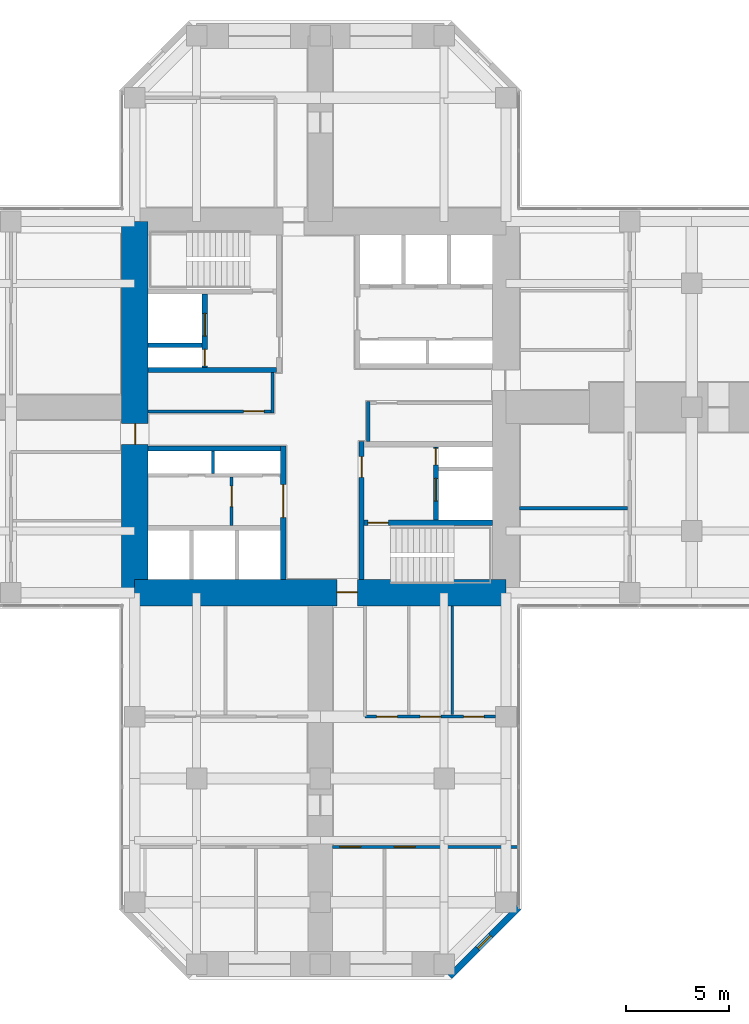
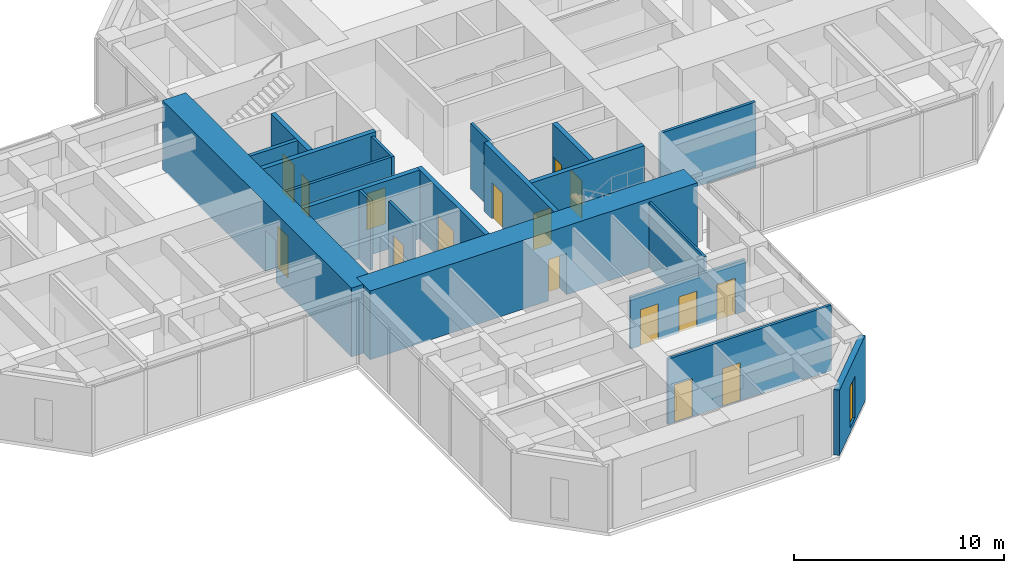
# One storey, part 9 of 13: 20 walls, 16 doors, 1 window, 17 openings.
"""IFC4 building model written with IfcOpenShell, lengths in metres."""

from ifc_helpers import new_model, si_unit, direction, frame, frame_2d, origin, place, context, subcontext, project, spatial, rectangle, hollow_rectangle, extrude, material, layer, layer_set, constituent, constituent_set, type_object, element, fill, save


model = new_model("IFC4")

# Units and contexts
model_context = context("Model", 3, precision=1e-05, world=origin(), true_north=direction((0.0, 1.0)))
body_context = subcontext(model_context, "Body", "Model", "MODEL_VIEW")
ifc_project = project(units=[si_unit("LENGTHUNIT", "METRE"), si_unit("AREAUNIT", "SQUARE_METRE"), si_unit("VOLUMEUNIT", "CUBIC_METRE"), si_unit("PLANEANGLEUNIT", "RADIAN"), si_unit("MASSUNIT", "GRAM", prefix="KILO")], contexts=[model_context])

# Site, building, storey
site_placement = place(None, origin())
site = spatial("IfcSite", under=ifc_project, at=site_placement, CompositionType="ELEMENT")
building_placement = place(site_placement, origin())
building = spatial("IfcBuilding", under=site, at=building_placement, Name="Torre Cruceta", CompositionType="ELEMENT")
storey_placement = place(building_placement, frame((0.0, 0.0, 152.5)))
storey = spatial("IfcBuildingStorey", under=building, at=storey_placement, Name="L37", CompositionType="ELEMENT", Elevation=152.5)

# Wall
ifc_material_1 = material(Name="Concrete G60 (fck 60 MPa)", Category="concrete")
ifc_layer_1 = layer(ifc_material_1, 0.25)
ifc_layer_set_1 = layer_set([ifc_layer_1], Name="Concrete G60 (fck 60 MPa)")
wall_type_1 = type_object("IfcWallType", Name="CORE INNER WALL 250 G60", PredefinedType="SHEAR", material=ifc_layer_set_1)
wall_1_placement = place(storey_placement, frame((-2.125, 1.800048828125, 0.0), z_axis=(0.0, 0.0, 1.0), x_axis=(-1.0, 0.0, 0.0)))
element("IfcWall", 1, at=wall_1_placement, inside=storey, type_object=wall_type_1, Name="CW4 L37 NW-CV", PredefinedType="SHEAR", context=body_context, shape_type="SweptSolid", body=[
    extrude(rectangle(XDim=6.22509765625, YDim=0.25, at=frame_2d((3.112548828125, 0.0))), origin(), (0.0, 0.0, 1.0), 4.0),
])

# Wall, openings, doors
wall_2_placement = place(storey_placement, frame((-5.60009765625, 1.925048828125, 0.0), z_axis=(0.0, 0.0, 1.0), x_axis=(0.0, 1.0, 0.0)))
wall_2 = element("IfcWall", 2, at=wall_2_placement, inside=storey, type_object=wall_type_1, Name="CW4 L37 NW-FU", PredefinedType="SHEAR", context=body_context, shape_type="SweptSolid", body=[
    extrude(rectangle(XDim=3.550048828125, YDim=0.25, at=frame_2d((1.77490234375, 0.0))), origin(), (0.0, 0.0, 1.0), 4.0),
])
opening_1_placement = place(wall_2_placement, frame((1.52490234375, 0.0, 0.0)))
opening_1 = element("IfcOpeningElement", 3, at=opening_1_placement, cuts=wall_2, Name="Opening LD1", PredefinedType="OPENING", context=body_context, shape_type="SweptSolid", body=[
    extrude(rectangle(XDim=1.10009765625, YDim=2.199951171875, at=frame_2d((0.550048828125, 1.10009765625))), frame((0.0, 0.135009765625, 0.0), z_axis=(0.0, -1.0, 0.0), x_axis=(1.0, 0.0, 0.0)), (0.0, 0.0, 1.0), 0.27001953125),
])
opening_2_placement = place(wall_2_placement, frame((0.074951171875, 0.0, 0.0)))
opening_2 = element("IfcOpeningElement", 4, at=opening_2_placement, cuts=wall_2, Name="Opening D5", PredefinedType="OPENING", context=body_context, shape_type="SweptSolid", body=[
    extrude(rectangle(XDim=0.800048828125, YDim=2.10009765625, at=frame_2d((0.39990234375, 1.050048828125))), frame((0.0, 0.135009765625, 0.0), z_axis=(0.0, -1.0, 0.0), x_axis=(1.0, 0.0, 0.0)), (0.0, 0.0, 1.0), 0.27001953125),
])
ifc_material_2 = material(Name="Stainless steel 1.4401", Category="steel")
door_type_1 = type_object("IfcDoorType", Name="LIFT LANDING DOOR 1100X2200", OperationType="DOUBLE_DOOR_SLIDING", PredefinedType="DOOR", material=ifc_material_2)
door_1_placement = place(opening_1_placement, origin())
door_1 = element("IfcDoor", 5, at=door_1_placement, inside=storey, type_object=door_type_1, Name="Lift landing door FL1", OperationType="DOUBLE_DOOR_SLIDING", OverallHeight=2.199951171875, OverallWidth=1.10009765625, PredefinedType="DOOR", context=body_context, shape_type="SweptSolid", body=[
    extrude(rectangle(XDim=1.10009765625, YDim=2.199951171875, at=frame_2d((0.550048828125, 1.10009765625))), frame((0.0, 0.02490234375, 0.0), z_axis=(0.0, -1.0, 0.0), x_axis=(1.0, 0.0, 0.0)), (0.0, 0.0, 1.0), 0.050048828125),
])
fill(opening_1, door_1)
ifc_material_3 = material(Name="Steel DX51D", Category="steel")
ifc_constituent_1 = constituent(ifc_material_3, Name="Leaf and frame")
ifc_material_4 = material(Name="Polyester powder coating", Category="paint")
ifc_constituent_2 = constituent(ifc_material_4, Name="Finish")
ifc_constituent_set_1 = constituent_set(constituents=[ifc_constituent_1, ifc_constituent_2], Name="Steel fire door")
door_type_2 = type_object("IfcDoorType", Name="RISER ACCESS DOOR 800X2100", OperationType="SINGLE_SWING_LEFT", PredefinedType="DOOR", material=ifc_constituent_set_1)
door_2_placement = place(opening_2_placement, origin())
door_2 = element("IfcDoor", 6, at=door_2_placement, inside=storey, type_object=door_type_2, Name="D5 L37 NW-RISER", OperationType="SINGLE_SWING_LEFT", OverallHeight=2.10009765625, OverallWidth=0.800048828125, PredefinedType="DOOR", context=body_context, shape_type="SweptSolid", body=[
    extrude(rectangle(XDim=0.800048828125, YDim=2.10009765625, at=frame_2d((0.39990234375, 1.050048828125))), frame((0.0, 0.02490234375, 0.0), z_axis=(0.0, -1.0, 0.0), x_axis=(1.0, 0.0, 0.0)), (0.0, 0.0, 1.0), 0.050048828125),
])
fill(opening_2, door_2)

# Wall, opening, door
wall_3_placement = place(storey_placement, frame((-1.800048828125, -1.875, 0.0), z_axis=(0.0, 0.0, 1.0), x_axis=(0.0, -1.0, 0.0)))
wall_3 = element("IfcWall", 7, at=wall_3_placement, inside=storey, type_object=wall_type_1, Name="CW4 L37 SW-CU", PredefinedType="SHEAR", context=body_context, shape_type="SweptSolid", body=[
    extrude(rectangle(XDim=6.47509765625, YDim=0.25, at=frame_2d((3.237548828125, 0.0))), origin(), (0.0, 0.0, 1.0), 4.0),
])
opening_3_placement = place(wall_3_placement, frame((1.875, 0.0, 0.0)))
opening_3 = element("IfcOpeningElement", 8, at=opening_3_placement, cuts=wall_3, Name="Opening D15", PredefinedType="OPENING", context=body_context, shape_type="SweptSolid", body=[
    extrude(rectangle(XDim=1.60009765625, YDim=2.39990234375, at=frame_2d((0.800048828125, 1.199951171875))), frame((0.0, 0.135009765625, 0.0), z_axis=(0.0, -1.0, 0.0), x_axis=(1.0, 0.0, 0.0)), (0.0, 0.0, 1.0), 0.27001953125),
])
ifc_material_5 = material(Name="Steel DX51D", Category="steel")
ifc_constituent_3 = constituent(ifc_material_5, Name="Leaf and frame")
ifc_material_6 = material(Name="Polyester powder coating", Category="paint")
ifc_constituent_4 = constituent(ifc_material_6, Name="Finish")
ifc_constituent_set_2 = constituent_set(constituents=[ifc_constituent_3, ifc_constituent_4], Name="Steel fire door")
door_type_3 = type_object("IfcDoorType", Name="CORE ROOM DOUBLE DOOR 1600X2400", OperationType="DOUBLE_DOOR_SINGLE_SWING", PredefinedType="DOOR", material=ifc_constituent_set_2)
door_3_placement = place(opening_3_placement, frame((1.60009765625, 0.0, 0.0), z_axis=(0.0, 0.0, 1.0), x_axis=(-1.0, 0.0, 0.0)))
door_3 = element("IfcDoor", 9, at=door_3_placement, inside=storey, type_object=door_type_3, Name="D15 L37 SW-LOBBY", OperationType="DOUBLE_DOOR_SINGLE_SWING", OverallHeight=2.39990234375, OverallWidth=1.60009765625, PredefinedType="DOOR", context=body_context, shape_type="SweptSolid", body=[
    extrude(rectangle(XDim=1.60009765625, YDim=2.39990234375, at=frame_2d((0.800048828125, 1.199951171875))), frame((0.0, 0.025146484375, 0.0), z_axis=(0.0, -1.0, 0.0), x_axis=(1.0, 0.0, 0.0)), (0.0, 0.0, 1.0), 0.050048828125),
])
fill(opening_3, door_3)

# Wall
wall_4_placement = place(storey_placement, frame((-1.925048828125, -2.0, 0.0), z_axis=(0.0, 0.0, 1.0), x_axis=(-1.0, 0.0, 0.0)))
element("IfcWall", 10, at=wall_4_placement, inside=storey, type_object=wall_type_1, Name="CW4 L37 SW-CV", PredefinedType="SHEAR", context=body_context, shape_type="SweptSolid", body=[
    extrude(rectangle(XDim=6.425048828125, YDim=0.25, at=frame_2d((3.21240234375, 0.0))), origin(), (0.0, 0.0, 1.0), 4.0),
])

# Wall, opening, door
wall_5_placement = place(storey_placement, frame((2.0, -1.675048828125, 0.0), z_axis=(0.0, 0.0, 1.0), x_axis=(0.0, -1.0, 0.0)))
wall_5 = element("IfcWall", 11, at=wall_5_placement, inside=storey, type_object=wall_type_1, Name="CW4 L37 SE-CU", PredefinedType="SHEAR", context=body_context, shape_type="SweptSolid", body=[
    extrude(rectangle(XDim=6.675048828125, YDim=0.25, at=frame_2d((3.33740234375, 0.0))), origin(), (0.0, 0.0, 1.0), 4.0),
])
opening_4_placement = place(wall_5_placement, frame((0.72509765625, 0.0, 0.0)))
opening_4 = element("IfcOpeningElement", 12, at=opening_4_placement, cuts=wall_5, Name="Opening D3", PredefinedType="OPENING", context=body_context, shape_type="SweptSolid", body=[
    extrude(rectangle(XDim=1.0, YDim=2.10009765625, at=frame_2d((0.5, 1.050048828125))), frame((0.0, 0.135009765625, 0.0), z_axis=(0.0, -1.0, 0.0), x_axis=(1.0, 0.0, 0.0)), (0.0, 0.0, 1.0), 0.27001953125),
])
ifc_material_7 = material(Name="Steel DX51D", Category="steel")
ifc_constituent_5 = constituent(ifc_material_7, Name="Leaf and frame")
ifc_material_8 = material(Name="Polyester powder coating", Category="paint")
ifc_constituent_6 = constituent(ifc_material_8, Name="Finish")
ifc_constituent_set_3 = constituent_set(constituents=[ifc_constituent_5, ifc_constituent_6], Name="Steel fire door")
door_type_4 = type_object("IfcDoorType", Name="FIRE DOOR 1000X2100", OperationType="SINGLE_SWING_LEFT", PredefinedType="DOOR", material=ifc_constituent_set_3)
door_4_placement = place(opening_4_placement, origin())
door_4 = element("IfcDoor", 13, at=door_4_placement, inside=storey, type_object=door_type_4, Name="D3 L37 SE-LOBBY", OperationType="SINGLE_SWING_LEFT", OverallHeight=2.10009765625, OverallWidth=1.0, PredefinedType="DOOR", context=body_context, shape_type="SweptSolid", body=[
    extrude(rectangle(XDim=1.0, YDim=2.10009765625, at=frame_2d((0.5, 1.050048828125))), frame((0.0, 0.02490234375, 0.0), z_axis=(0.0, -1.0, 0.0), x_axis=(1.0, 0.0, 0.0)), (0.0, 0.0, 1.0), 0.050048828125),
])
fill(opening_4, door_4)

wall_6_placement = place(storey_placement, frame((2.125, -5.60009765625, 0.0), z_axis=(0.0, 0.0, 1.0), x_axis=(1.0, 0.0, 0.0)))
wall_6 = element("IfcWall", 14, at=wall_6_placement, inside=storey, type_object=wall_type_1, Name="CW4 L37 SE-SV", PredefinedType="SHEAR", context=body_context, shape_type="SweptSolid", body=[
    extrude(rectangle(XDim=6.22509765625, YDim=0.25, at=frame_2d((3.112548828125, 0.0))), origin(), (0.0, 0.0, 1.0), 4.0),
])
opening_5_placement = place(wall_6_placement, frame((0.175048828125, 0.0, 0.0)))
opening_5 = element("IfcOpeningElement", 15, at=opening_5_placement, cuts=wall_6, Name="Opening D3", PredefinedType="OPENING", context=body_context, shape_type="SweptSolid", body=[
    extrude(rectangle(XDim=1.0, YDim=2.10009765625, at=frame_2d((0.5, 1.050048828125))), frame((0.0, 0.135009765625, 0.0), z_axis=(0.0, -1.0, 0.0), x_axis=(1.0, 0.0, 0.0)), (0.0, 0.0, 1.0), 0.27001953125),
])
door_5_placement = place(opening_5_placement, frame((1.0, 0.0, 0.0), z_axis=(0.0, 0.0, 1.0), x_axis=(-1.0, 0.0, 0.0)))
door_5 = element("IfcDoor", 16, at=door_5_placement, inside=storey, type_object=door_type_4, Name="D3 L37 SE-STAIR", OperationType="SINGLE_SWING_RIGHT", OverallHeight=2.10009765625, OverallWidth=1.0, PredefinedType="DOOR", context=body_context, shape_type="SweptSolid", body=[
    extrude(rectangle(XDim=1.0, YDim=2.10009765625, at=frame_2d((0.5, 1.050048828125))), frame((0.0, 0.025146484375, 0.0), z_axis=(0.0, -1.0, 0.0), x_axis=(1.0, 0.0, 0.0)), (0.0, 0.0, 1.0), 0.050048828125),
])
fill(opening_5, door_5)

# Wall, openings, doors
wall_7_placement = place(storey_placement, frame((5.60009765625, -1.925048828125, 0.0), z_axis=(0.0, 0.0, 1.0), x_axis=(0.0, -1.0, 0.0)))
wall_7 = element("IfcWall", 17, at=wall_7_placement, inside=storey, type_object=wall_type_1, Name="CW4 L37 SE-FU", PredefinedType="SHEAR", context=body_context, shape_type="SweptSolid", body=[
    extrude(rectangle(XDim=3.550048828125, YDim=0.25, at=frame_2d((1.77490234375, 0.0))), origin(), (0.0, 0.0, 1.0), 4.0),
])
opening_6_placement = place(wall_7_placement, frame((1.52490234375, 0.0, 0.0)))
opening_6 = element("IfcOpeningElement", 18, at=opening_6_placement, cuts=wall_7, Name="Opening LD1", PredefinedType="OPENING", context=body_context, shape_type="SweptSolid", body=[
    extrude(rectangle(XDim=1.10009765625, YDim=2.199951171875, at=frame_2d((0.550048828125, 1.10009765625))), frame((0.0, 0.135009765625, 0.0), z_axis=(0.0, -1.0, 0.0), x_axis=(1.0, 0.0, 0.0)), (0.0, 0.0, 1.0), 0.27001953125),
])
opening_7_placement = place(wall_7_placement, frame((0.074951171875, 0.0, 0.0)))
opening_7 = element("IfcOpeningElement", 19, at=opening_7_placement, cuts=wall_7, Name="Opening D5", PredefinedType="OPENING", context=body_context, shape_type="SweptSolid", body=[
    extrude(rectangle(XDim=0.800048828125, YDim=2.10009765625, at=frame_2d((0.39990234375, 1.050048828125))), frame((0.0, 0.135009765625, 0.0), z_axis=(0.0, -1.0, 0.0), x_axis=(1.0, 0.0, 0.0)), (0.0, 0.0, 1.0), 0.27001953125),
])
door_6_placement = place(opening_6_placement, origin())
door_6 = element("IfcDoor", 20, at=door_6_placement, inside=storey, type_object=door_type_1, Name="Lift landing door FL2", OperationType="DOUBLE_DOOR_SLIDING", OverallHeight=2.199951171875, OverallWidth=1.10009765625, PredefinedType="DOOR", context=body_context, shape_type="SweptSolid", body=[
    extrude(rectangle(XDim=1.10009765625, YDim=2.199951171875, at=frame_2d((0.550048828125, 1.10009765625))), frame((0.0, 0.02490234375, 0.0), z_axis=(0.0, -1.0, 0.0), x_axis=(1.0, 0.0, 0.0)), (0.0, 0.0, 1.0), 0.050048828125),
])
fill(opening_6, door_6)
door_7_placement = place(opening_7_placement, origin())
door_7 = element("IfcDoor", 21, at=door_7_placement, inside=storey, type_object=door_type_2, Name="D5 L37 SE-RISER", OperationType="SINGLE_SWING_LEFT", OverallHeight=2.10009765625, OverallWidth=0.800048828125, PredefinedType="DOOR", context=body_context, shape_type="SweptSolid", body=[
    extrude(rectangle(XDim=0.800048828125, YDim=2.10009765625, at=frame_2d((0.39990234375, 1.050048828125))), frame((0.0, 0.02490234375, 0.0), z_axis=(0.0, -1.0, 0.0), x_axis=(1.0, 0.0, 0.0)), (0.0, 0.0, 1.0), 0.050048828125),
])
fill(opening_7, door_7)

# Wall, opening, door
ifc_material_9 = material(Name="Concrete G60 (fck 60 MPa)", Category="concrete")
ifc_layer_2 = layer(ifc_material_9, 1.300048828125)
ifc_layer_set_2 = layer_set([ifc_layer_2], Name="Concrete G60 (fck 60 MPa)")
wall_type_2 = type_object("IfcWallType", Name="CORE WALL 1300 G60", PredefinedType="SHEAR", material=ifc_layer_set_2)
wall_8_placement = place(storey_placement, frame((-9.0, -9.0, 0.0), z_axis=(0.0, 0.0, 1.0), x_axis=(1.0, 0.0, 0.0)))
wall_8 = element("IfcWall", 22, at=wall_8_placement, inside=storey, type_object=wall_type_2, Name="CW1 L37 CW-S", PredefinedType="SHEAR", context=body_context, shape_type="SweptSolid", body=[
    extrude(rectangle(XDim=18.0, YDim=1.300048828125, at=frame_2d((9.0, 0.0))), origin(), (0.0, 0.0, 1.0), 4.0),
])
opening_8_placement = place(wall_8_placement, frame((9.800048828125, 0.0, 0.0)))
opening_8 = element("IfcOpeningElement", 23, at=opening_8_placement, cuts=wall_8, Name="Opening D4", PredefinedType="OPENING", context=body_context, shape_type="SweptSolid", body=[
    extrude(rectangle(XDim=1.0, YDim=2.39990234375, at=frame_2d((0.5, 1.199951171875))), frame((0.0, 0.659912109375, 0.0), z_axis=(0.0, -1.0, 0.0), x_axis=(1.0, 0.0, 0.0)), (0.0, 0.0, 1.0), 1.320068359375),
])
ifc_material_10 = material(Name="Steel DX51D", Category="steel")
ifc_constituent_7 = constituent(ifc_material_10, Name="Leaf and frame")
ifc_material_11 = material(Name="Polyester powder coating", Category="paint")
ifc_constituent_8 = constituent(ifc_material_11, Name="Finish")
ifc_constituent_set_4 = constituent_set(constituents=[ifc_constituent_7, ifc_constituent_8], Name="Steel fire door")
door_type_5 = type_object("IfcDoorType", Name="CORE ARM DOOR 1000X2400", OperationType="SINGLE_SWING_RIGHT", PredefinedType="DOOR", material=ifc_constituent_set_4)
door_8_placement = place(opening_8_placement, frame((1.0, 0.0, 0.0), z_axis=(0.0, 0.0, 1.0), x_axis=(-1.0, 0.0, 0.0)))
door_8 = element("IfcDoor", 24, at=door_8_placement, inside=storey, type_object=door_type_5, Name="D4 L37 CW-S", OperationType="SINGLE_SWING_RIGHT", OverallHeight=2.39990234375, OverallWidth=1.0, PredefinedType="DOOR", context=body_context, shape_type="SweptSolid", body=[
    extrude(rectangle(XDim=1.0, YDim=2.39990234375, at=frame_2d((0.5, 1.199951171875))), frame((0.0, -0.005126953125, 0.0), z_axis=(0.0, -1.0, 0.0), x_axis=(1.0, 0.0, 0.0)), (0.0, 0.0, 1.0), 0.050048828125),
])
fill(opening_8, door_8)

wall_9_placement = place(storey_placement, frame((-9.0, 9.0, 0.0), z_axis=(0.0, 0.0, 1.0), x_axis=(0.0, -1.0, 0.0)))
wall_9 = element("IfcWall", 25, at=wall_9_placement, inside=storey, type_object=wall_type_2, Name="CW1 L37 CW-W", PredefinedType="SHEAR", context=body_context, shape_type="SweptSolid", body=[
    extrude(rectangle(XDim=18.0, YDim=1.300048828125, at=frame_2d((9.0, 0.0))), origin(), (0.0, 0.0, 1.0), 4.0),
])
opening_9_placement = place(wall_9_placement, frame((9.800048828125, 0.0, 0.0)))
opening_9 = element("IfcOpeningElement", 26, at=opening_9_placement, cuts=wall_9, Name="Opening D4", PredefinedType="OPENING", context=body_context, shape_type="SweptSolid", body=[
    extrude(rectangle(XDim=1.0, YDim=2.39990234375, at=frame_2d((0.5, 1.199951171875))), frame((0.0, 0.659912109375, 0.0), z_axis=(0.0, -1.0, 0.0), x_axis=(1.0, 0.0, 0.0)), (0.0, 0.0, 1.0), 1.320068359375),
])
door_9_placement = place(opening_9_placement, frame((1.0, 0.0, 0.0), z_axis=(0.0, 0.0, 1.0), x_axis=(-1.0, 0.0, 0.0)))
door_9 = element("IfcDoor", 27, at=door_9_placement, inside=storey, type_object=door_type_5, Name="D4 L37 CW-W", OperationType="SINGLE_SWING_RIGHT", OverallHeight=2.39990234375, OverallWidth=1.0, PredefinedType="DOOR", context=body_context, shape_type="SweptSolid", body=[
    extrude(rectangle(XDim=1.0, YDim=2.39990234375, at=frame_2d((0.5, 1.199951171875))), frame((0.0, -0.005126953125, 0.0), z_axis=(0.0, -1.0, 0.0), x_axis=(1.0, 0.0, 0.0)), (0.0, 0.0, 1.0), 0.050048828125),
])
fill(opening_9, door_9)

# Wall, opening, window
ifc_material_12 = material(Name="Concrete G30 (fck 30 MPa)", Category="concrete")
ifc_layer_3 = layer(ifc_material_12, 0.300048828125)
ifc_layer_set_3 = layer_set([ifc_layer_3], Name="Concrete G30 (fck 30 MPa)")
wall_type_3 = type_object("IfcWallType", Name="EXPOSED CONCRETE FACADE WALL 300", PredefinedType="SOLIDWALL", material=ifc_layer_set_3)
wall_10_placement = place(storey_placement, frame((6.27685546875, -27.60009765625, 0.0), z_axis=(0.0, 0.0, 1.0), x_axis=(0.707106781187, 0.707106781187, 0.0)))
wall_10 = element("IfcWall", 28, at=wall_10_placement, inside=storey, type_object=wall_type_3, Name="EW1 facade wall L37 S chamfer 18", PredefinedType="SOLIDWALL", context=body_context, shape_type="SweptSolid", body=[
    extrude(rectangle(XDim=4.72802734375, YDim=0.300048828125, at=frame_2d((2.364013671875, 0.0))), origin(), (0.0, 0.0, 1.0), 3.800048828125),
])
opening_10_placement = place(wall_10_placement, frame((1.9140625, 0.0, 0.300048828125)))
opening_10 = element("IfcOpeningElement", 29, at=opening_10_placement, cuts=wall_10, Name="Opening WN5", PredefinedType="OPENING", context=body_context, shape_type="SweptSolid", body=[
    extrude(rectangle(XDim=0.89990234375, YDim=2.39990234375, at=frame_2d((0.449951171875, 1.199951171875))), frame((0.0, 0.159912109375, 0.0), z_axis=(0.0, -1.0, 0.0), x_axis=(1.0, 0.0, 0.0)), (0.0, 0.0, 1.0), 0.320068359375),
])
ifc_material_13 = material(Name="Aluminium window frame", Category="aluminium")
ifc_constituent_9 = constituent(ifc_material_13, Name="Frame")
ifc_material_14 = material(Name="Laminated insulating glass unit, low-iron clear", Category="glass")
ifc_constituent_10 = constituent(ifc_material_14, Name="Glazing")
ifc_constituent_set_5 = constituent_set(constituents=[ifc_constituent_9, ifc_constituent_10], Name="Aluminium window")
window_type = type_object("IfcWindowType", Name="CHAMFER SLOT WINDOW 900X2400", PartitioningType="SINGLE_PANEL", PredefinedType="WINDOW", material=ifc_constituent_set_5)
window_placement = place(opening_10_placement, origin())
window = element("IfcWindow", 30, at=window_placement, inside=storey, type_object=window_type, Name="WN5 L37 S 1", OverallHeight=2.39990234375, OverallWidth=0.89990234375, PartitioningType="SINGLE_PANEL", PredefinedType="WINDOW", context=body_context, shape_type="SweptSolid", body=[
    extrude(hollow_rectangle(XDim=0.89990234375, YDim=2.39990234375, WallThickness=0.06005859375, at=frame_2d((0.449951171875, 1.199951171875))), frame((0.0, 0.030029296875, 0.0), z_axis=(0.0, -1.0, 0.0), x_axis=(1.0, 0.0, 0.0)), (0.0, 0.0, 1.0), 0.06005859375),
    extrude(rectangle(XDim=0.77880859375, YDim=2.27880859375, at=frame_2d((0.449951171875, 1.199951171875))), frame((0.0, 0.030029296875, 0.0), z_axis=(0.0, -1.0, 0.0), x_axis=(1.0, 0.0, 0.0)), (0.0, 0.0, 1.0), 0.06005859375),
])
fill(opening_10, window)

# Walls
ifc_material_15 = material(Name="Concrete G35 (fck 35 MPa)", Category="concrete")
ifc_layer_4 = layer(ifc_material_15, 0.199951171875)
ifc_layer_set_4 = layer_set([ifc_layer_4], Name="Concrete G35 (fck 35 MPa)")
wall_type_4 = type_object("IfcWallType", Name="LIFT SHAFT WALL 200", PredefinedType="PARTITIONING", material=ifc_layer_set_4)
wall_11_placement = place(storey_placement, frame((-5.72509765625, 3.0, 0.0), z_axis=(0.0, 0.0, 1.0), x_axis=(-1.0, 0.0, 0.0)))
element("IfcWall", 31, at=wall_11_placement, inside=storey, type_object=wall_type_4, Name="SW1 L37 NW-FR", PredefinedType="PARTITIONING", context=body_context, shape_type="SweptSolid", body=[
    extrude(rectangle(XDim=2.625, YDim=0.199951171875, at=frame_2d((1.3125, 0.0))), origin(), (0.0, 0.0, 1.0), 4.0),
])
ifc_material_16 = material(Name="Plasterboard on steel studs", Category="steel")
ifc_layer_5 = layer(ifc_material_16, 0.14990234375)
ifc_layer_set_5 = layer_set([ifc_layer_5], Name="Plasterboard on steel studs")
wall_type_5 = type_object("IfcWallType", Name="PARTITION 150", PredefinedType="PARTITIONING", material=ifc_layer_set_5)
wall_12_placement = place(storey_placement, frame((2.324951171875, -1.675048828125, 0.0), z_axis=(0.0, 0.0, 1.0), x_axis=(0.0, 1.0, 0.0)))
element("IfcWall", 32, at=wall_12_placement, inside=storey, type_object=wall_type_5, Name="PT1 L37-CORE-LEGE-S-W2", PredefinedType="PARTITIONING", context=body_context, shape_type="SweptSolid", body=[
    extrude(rectangle(XDim=1.949951171875, YDim=0.14990234375, at=frame_2d((0.97509765625, 0.0))), origin(), (0.0, 0.0, 1.0), 3.800048828125),
])

# Wall, opening, door
wall_13_placement = place(storey_placement, frame((-2.324951171875, -0.199951171875, 0.0), z_axis=(0.0, 0.0, 1.0), x_axis=(-1.0, 0.0, 0.0)))
wall_13 = element("IfcWall", 33, at=wall_13_placement, inside=storey, type_object=wall_type_5, Name="PT1 L37-CORE-LEGW-N-W1", PredefinedType="PARTITIONING", context=body_context, shape_type="SweptSolid", body=[
    extrude(rectangle(XDim=6.025146484375, YDim=0.14990234375, at=frame_2d((3.0126953125, 0.0))), origin(), (0.0, 0.0, 1.0), 3.800048828125),
])
opening_11_placement = place(wall_13_placement, frame((0.39990234375, 0.0, 0.0)))
opening_11 = element("IfcOpeningElement", 34, at=opening_11_placement, cuts=wall_13, Name="Opening D3", PredefinedType="OPENING", context=body_context, shape_type="SweptSolid", body=[
    extrude(rectangle(XDim=1.0, YDim=2.10009765625, at=frame_2d((0.5, 1.050048828125))), frame((0.0, 0.0849609375, 0.0), z_axis=(0.0, -1.0, 0.0), x_axis=(1.0, 0.0, 0.0)), (0.0, 0.0, 1.0), 0.169921875),
])
door_10_placement = place(opening_11_placement, frame((1.0, 0.0, 0.0), z_axis=(0.0, 0.0, 1.0), x_axis=(-1.0, 0.0, 0.0)))
door_10 = element("IfcDoor", 35, at=door_10_placement, inside=storey, type_object=door_type_4, Name="D3 L37-CORE-LEGW-N-W1-D1", OperationType="SINGLE_SWING_RIGHT", OverallHeight=2.10009765625, OverallWidth=1.0, PredefinedType="DOOR", context=body_context, shape_type="SweptSolid", body=[
    extrude(rectangle(XDim=1.0, YDim=2.10009765625, at=frame_2d((0.5, 1.050048828125))), frame((0.0, 0.025146484375, 0.0), z_axis=(0.0, -1.0, 0.0), x_axis=(1.0, 0.0, 0.0)), (0.0, 0.0, 1.0), 0.050048828125),
])
fill(opening_11, door_10)

# Wall
wall_14_placement = place(storey_placement, frame((-2.324951171875, 1.675048828125, 0.0), z_axis=(0.0, 0.0, 1.0), x_axis=(0.0, -1.0, 0.0)))
element("IfcWall", 36, at=wall_14_placement, inside=storey, type_object=wall_type_5, Name="PT1 L37-CORE-LEGW-N-W2", PredefinedType="PARTITIONING", context=body_context, shape_type="SweptSolid", body=[
    extrude(rectangle(XDim=1.949951171875, YDim=0.14990234375, at=frame_2d((0.97509765625, 0.0))), origin(), (0.0, 0.0, 1.0), 3.800048828125),
])

# Wall, opening, door
wall_15_placement = place(storey_placement, frame((-4.300048828125, -3.375, 0.0), z_axis=(0.0, 0.0, 1.0), x_axis=(0.0, -1.0, 0.0)))
wall_15 = element("IfcWall", 37, at=wall_15_placement, inside=storey, type_object=wall_type_5, Name="PT1 L37-CORE-SW-X", PredefinedType="PARTITIONING", context=body_context, shape_type="SweptSolid", body=[
    extrude(rectangle(XDim=2.35009765625, YDim=0.14990234375, at=frame_2d((1.175048828125, 0.0))), origin(), (0.0, 0.0, 1.0), 3.800048828125),
])
opening_12_placement = place(wall_15_placement, frame((0.449951171875, 0.0, 0.0)))
opening_12 = element("IfcOpeningElement", 38, at=opening_12_placement, cuts=wall_15, Name="Opening D3", PredefinedType="OPENING", context=body_context, shape_type="SweptSolid", body=[
    extrude(rectangle(XDim=1.0, YDim=2.10009765625, at=frame_2d((0.5, 1.050048828125))), frame((0.0, 0.0849609375, 0.0), z_axis=(0.0, -1.0, 0.0), x_axis=(1.0, 0.0, 0.0)), (0.0, 0.0, 1.0), 0.169921875),
])
door_11_placement = place(opening_12_placement, origin())
door_11 = element("IfcDoor", 39, at=door_11_placement, inside=storey, type_object=door_type_4, Name="D3 L37-CORE-SW-X-D1", OperationType="SINGLE_SWING_LEFT", OverallHeight=2.10009765625, OverallWidth=1.0, PredefinedType="DOOR", context=body_context, shape_type="SweptSolid", body=[
    extrude(rectangle(XDim=1.0, YDim=2.10009765625, at=frame_2d((0.5, 1.050048828125))), frame((0.0, 0.02490234375, 0.0), z_axis=(0.0, -1.0, 0.0), x_axis=(1.0, 0.0, 0.0)), (0.0, 0.0, 1.0), 0.050048828125),
])
fill(opening_12, door_11)

# Wall
wall_16_placement = place(storey_placement, frame((9.64990234375, -4.89990234375, 0.0), z_axis=(0.0, 0.0, 1.0), x_axis=(1.0, 0.0, 0.0)))
element("IfcWall", 40, at=wall_16_placement, inside=storey, type_object=wall_type_5, Name="PT1 L37-E-BDR1", PredefinedType="PARTITIONING", context=body_context, shape_type="SweptSolid", body=[
    extrude(rectangle(XDim=5.25, YDim=0.14990234375, at=frame_2d((2.625, 0.0))), origin(), (0.0, 0.0, 1.0), 3.800048828125),
])

# Wall, openings, doors
wall_17_placement = place(storey_placement, frame((2.175048828125, -15.0, 0.0), z_axis=(0.0, 0.0, 1.0), x_axis=(1.0, 0.0, 0.0)))
wall_17 = element("IfcWall", 41, at=wall_17_placement, inside=storey, type_object=wall_type_5, Name="PT1 L37-S-BFL", PredefinedType="PARTITIONING", context=body_context, shape_type="SweptSolid", body=[
    extrude(rectangle(XDim=6.324951171875, YDim=0.14990234375, at=frame_2d((3.16259765625, 0.0))), origin(), (0.0, 0.0, 1.0), 3.0),
])
opening_13_placement = place(wall_17_placement, frame((0.55419921875, 0.0, 0.0)))
opening_13 = element("IfcOpeningElement", 42, at=opening_13_placement, cuts=wall_17, Name="Opening D3", PredefinedType="OPENING", context=body_context, shape_type="SweptSolid", body=[
    extrude(rectangle(XDim=1.0, YDim=2.10009765625, at=frame_2d((0.5, 1.050048828125))), frame((0.0, 0.0849609375, 0.0), z_axis=(0.0, -1.0, 0.0), x_axis=(1.0, 0.0, 0.0)), (0.0, 0.0, 1.0), 0.169921875),
])
opening_14_placement = place(wall_17_placement, frame((2.66259765625, 0.0, 0.0)))
opening_14 = element("IfcOpeningElement", 43, at=opening_14_placement, cuts=wall_17, Name="Opening D3", PredefinedType="OPENING", context=body_context, shape_type="SweptSolid", body=[
    extrude(rectangle(XDim=1.0, YDim=2.10009765625, at=frame_2d((0.5, 1.050048828125))), frame((0.0, 0.0849609375, 0.0), z_axis=(0.0, -1.0, 0.0), x_axis=(1.0, 0.0, 0.0)), (0.0, 0.0, 1.0), 0.169921875),
])
opening_15_placement = place(wall_17_placement, frame((4.770751953125, 0.0, 0.0)))
opening_15 = element("IfcOpeningElement", 44, at=opening_15_placement, cuts=wall_17, Name="Opening D3", PredefinedType="OPENING", context=body_context, shape_type="SweptSolid", body=[
    extrude(rectangle(XDim=1.0, YDim=2.10009765625, at=frame_2d((0.5, 1.050048828125))), frame((0.0, 0.0849609375, 0.0), z_axis=(0.0, -1.0, 0.0), x_axis=(1.0, 0.0, 0.0)), (0.0, 0.0, 1.0), 0.169921875),
])
door_12_placement = place(opening_13_placement, origin())
door_12 = element("IfcDoor", 45, at=door_12_placement, inside=storey, type_object=door_type_4, Name="D3 L37-S-BFL-D1", OperationType="SINGLE_SWING_LEFT", OverallHeight=2.10009765625, OverallWidth=1.0, PredefinedType="DOOR", context=body_context, shape_type="SweptSolid", body=[
    extrude(rectangle(XDim=1.0, YDim=2.10009765625, at=frame_2d((0.5, 1.050048828125))), frame((0.0, 0.02490234375, 0.0), z_axis=(0.0, -1.0, 0.0), x_axis=(1.0, 0.0, 0.0)), (0.0, 0.0, 1.0), 0.050048828125),
])
fill(opening_13, door_12)
door_13_placement = place(opening_14_placement, origin())
door_13 = element("IfcDoor", 46, at=door_13_placement, inside=storey, type_object=door_type_4, Name="D3 L37-S-BFL-D2", OperationType="SINGLE_SWING_LEFT", OverallHeight=2.10009765625, OverallWidth=1.0, PredefinedType="DOOR", context=body_context, shape_type="SweptSolid", body=[
    extrude(rectangle(XDim=1.0, YDim=2.10009765625, at=frame_2d((0.5, 1.050048828125))), frame((0.0, 0.02490234375, 0.0), z_axis=(0.0, -1.0, 0.0), x_axis=(1.0, 0.0, 0.0)), (0.0, 0.0, 1.0), 0.050048828125),
])
fill(opening_14, door_13)
door_14_placement = place(opening_15_placement, origin())
door_14 = element("IfcDoor", 47, at=door_14_placement, inside=storey, type_object=door_type_4, Name="D3 L37-S-BFL-D3", OperationType="SINGLE_SWING_LEFT", OverallHeight=2.10009765625, OverallWidth=1.0, PredefinedType="DOOR", context=body_context, shape_type="SweptSolid", body=[
    extrude(rectangle(XDim=1.0, YDim=2.10009765625, at=frame_2d((0.5, 1.050048828125))), frame((0.0, 0.02490234375, 0.0), z_axis=(0.0, -1.0, 0.0), x_axis=(1.0, 0.0, 0.0)), (0.0, 0.0, 1.0), 0.050048828125),
])
fill(opening_15, door_14)

wall_18_placement = place(storey_placement, frame((0.60009765625, -21.320068359375, 0.0), z_axis=(0.0, 0.0, 1.0), x_axis=(1.0, 0.0, 0.0)))
wall_18 = element("IfcWall", 48, at=wall_18_placement, inside=storey, type_object=wall_type_5, Name="PT1 L37-S-TWL", PredefinedType="PARTITIONING", context=body_context, shape_type="SweptSolid", body=[
    extrude(rectangle(XDim=8.97998046875, YDim=0.14990234375, at=frame_2d((4.489990234375, 0.0))), origin(), (0.0, 0.0, 1.0), 3.800048828125),
])
opening_16_placement = place(wall_18_placement, frame((0.35009765625, 0.0, 0.0)))
opening_16 = element("IfcOpeningElement", 49, at=opening_16_placement, cuts=wall_18, Name="Opening D14", PredefinedType="OPENING", context=body_context, shape_type="SweptSolid", body=[
    extrude(rectangle(XDim=1.0, YDim=2.199951171875, at=frame_2d((0.5, 1.10009765625))), frame((0.0, 0.0849609375, 0.0), z_axis=(0.0, -1.0, 0.0), x_axis=(1.0, 0.0, 0.0)), (0.0, 0.0, 1.0), 0.169921875),
])
opening_17_placement = place(wall_18_placement, frame((2.992919921875, 0.0, 0.0)))
opening_17 = element("IfcOpeningElement", 50, at=opening_17_placement, cuts=wall_18, Name="Opening D14", PredefinedType="OPENING", context=body_context, shape_type="SweptSolid", body=[
    extrude(rectangle(XDim=1.0, YDim=2.199951171875, at=frame_2d((0.5, 1.10009765625))), frame((0.0, 0.0849609375, 0.0), z_axis=(0.0, -1.0, 0.0), x_axis=(1.0, 0.0, 0.0)), (0.0, 0.0, 1.0), 0.169921875),
])
ifc_material_17 = material(Name="Steel DX51D", Category="steel")
ifc_constituent_11 = constituent(ifc_material_17, Name="Leaf and frame")
ifc_material_18 = material(Name="Polyester powder coating", Category="paint")
ifc_constituent_12 = constituent(ifc_material_18, Name="Finish")
ifc_material_19 = material(Name="Fire-resisting glass", Category="glass")
ifc_constituent_13 = constituent(ifc_material_19, Name="Vision panel")
ifc_constituent_set_6 = constituent_set(constituents=[ifc_constituent_11, ifc_constituent_12, ifc_constituent_13], Name="Steel fire door with vision panel")
door_type_6 = type_object("IfcDoorType", Name="FIRE DOOR VISION PANEL 1000X2200", OperationType="SINGLE_SWING_RIGHT", PredefinedType="DOOR", material=ifc_constituent_set_6)
door_15_placement = place(opening_16_placement, frame((1.0, 0.0, 0.0), z_axis=(0.0, 0.0, 1.0), x_axis=(-1.0, 0.0, 0.0)))
door_15 = element("IfcDoor", 51, at=door_15_placement, inside=storey, type_object=door_type_6, Name="D14 L37-S-TWL-D1", OperationType="SINGLE_SWING_RIGHT", OverallHeight=2.199951171875, OverallWidth=1.0, PredefinedType="DOOR", context=body_context, shape_type="SweptSolid", body=[
    extrude(rectangle(XDim=1.0, YDim=2.199951171875, at=frame_2d((0.5, 1.10009765625))), frame((0.0, 0.025146484375, 0.0), z_axis=(0.0, -1.0, 0.0), x_axis=(1.0, 0.0, 0.0)), (0.0, 0.0, 1.0), 0.050048828125),
])
fill(opening_16, door_15)
door_16_placement = place(opening_17_placement, frame((1.0, 0.0, 0.0), z_axis=(0.0, 0.0, 1.0), x_axis=(-1.0, 0.0, 0.0)))
door_16 = element("IfcDoor", 52, at=door_16_placement, inside=storey, type_object=door_type_6, Name="D14 L37-S-TWL-D2", OperationType="SINGLE_SWING_RIGHT", OverallHeight=2.199951171875, OverallWidth=1.0, PredefinedType="DOOR", context=body_context, shape_type="SweptSolid", body=[
    extrude(rectangle(XDim=1.0, YDim=2.199951171875, at=frame_2d((0.5, 1.10009765625))), frame((0.0, 0.025146484375, 0.0), z_axis=(0.0, -1.0, 0.0), x_axis=(1.0, 0.0, 0.0)), (0.0, 0.0, 1.0), 0.050048828125),
])
fill(opening_17, door_16)

# Walls
ifc_material_20 = material(Name="Concrete block masonry", Category="masonry")
ifc_layer_6 = layer(ifc_material_20, 0.14990234375)
ifc_layer_set_6 = layer_set([ifc_layer_6], Name="Concrete block masonry")
wall_type_6 = type_object("IfcWallType", Name="RISER WALL 150", PredefinedType="PARTITIONING", material=ifc_layer_set_6)
wall_19_placement = place(storey_placement, frame((-5.199951171875, -2.125, 0.0), z_axis=(0.0, 0.0, 1.0), x_axis=(0.0, -1.0, 0.0)))
element("IfcWall", 53, at=wall_19_placement, inside=storey, type_object=wall_type_6, Name="SW7 L37 SW-RU", PredefinedType="PARTITIONING", context=body_context, shape_type="SweptSolid", body=[
    extrude(rectangle(XDim=1.10009765625, YDim=0.14990234375, at=frame_2d((0.550048828125, 0.0))), origin(), (0.0, 0.0, 1.0), 4.0),
])
ifc_material_21 = material(Name="Plasterboard on steel studs", Category="steel")
ifc_layer_7 = layer(ifc_material_21, 0.1201171875)
ifc_layer_set_7 = layer_set([ifc_layer_7], Name="Plasterboard on steel studs")
wall_type_7 = type_object("IfcWallType", Name="WC PARTITION 120", PredefinedType="PLUMBINGWALL", material=ifc_layer_set_7)
wall_20_placement = place(storey_placement, frame((6.3916015625, -9.64990234375, 0.0), z_axis=(0.0, 0.0, 1.0), x_axis=(0.0, -1.0, 0.0)))
element("IfcWall", 54, at=wall_20_placement, inside=storey, type_object=wall_type_7, Name="PT5 L37-S-BDL2", PredefinedType="PLUMBINGWALL", context=body_context, shape_type="SweptSolid", body=[
    extrude(rectangle(XDim=5.25, YDim=0.1201171875, at=frame_2d((2.625, 0.0))), origin(), (0.0, 0.0, 1.0), 3.800048828125),
])

save(model, "model.ifc")
